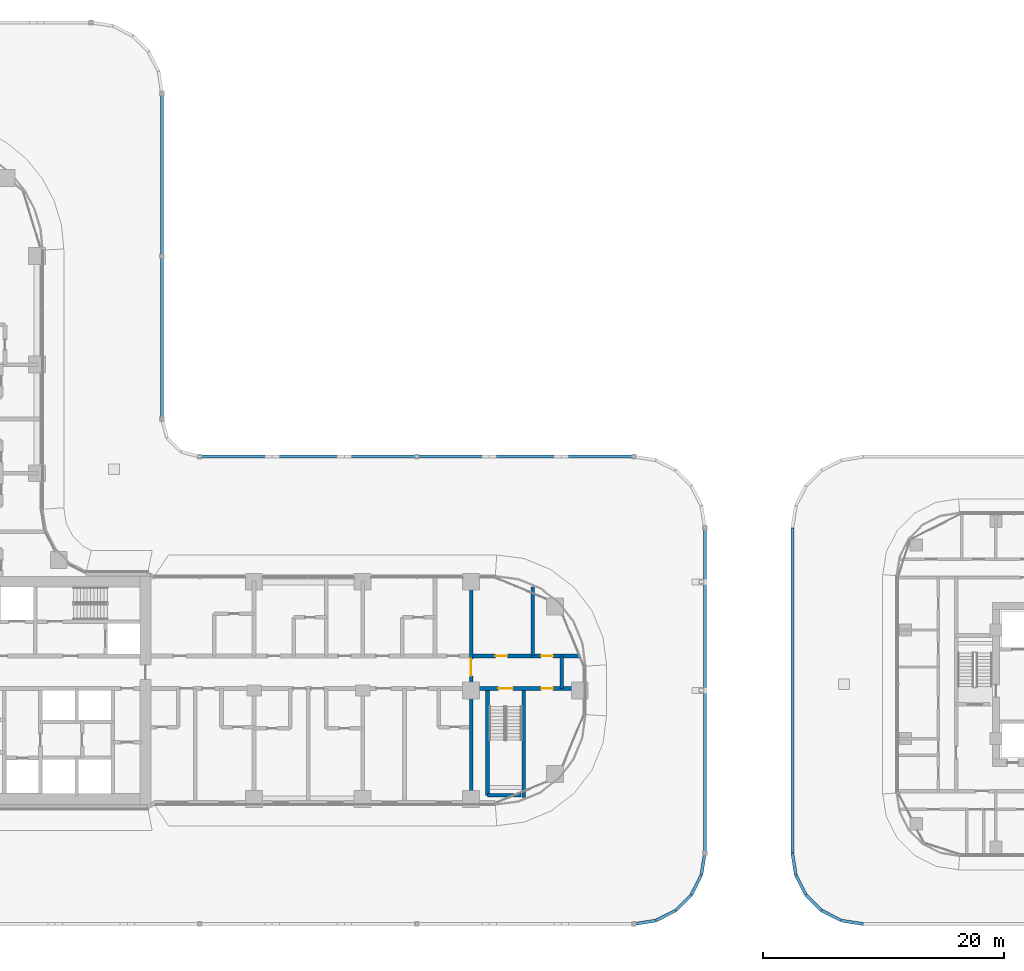
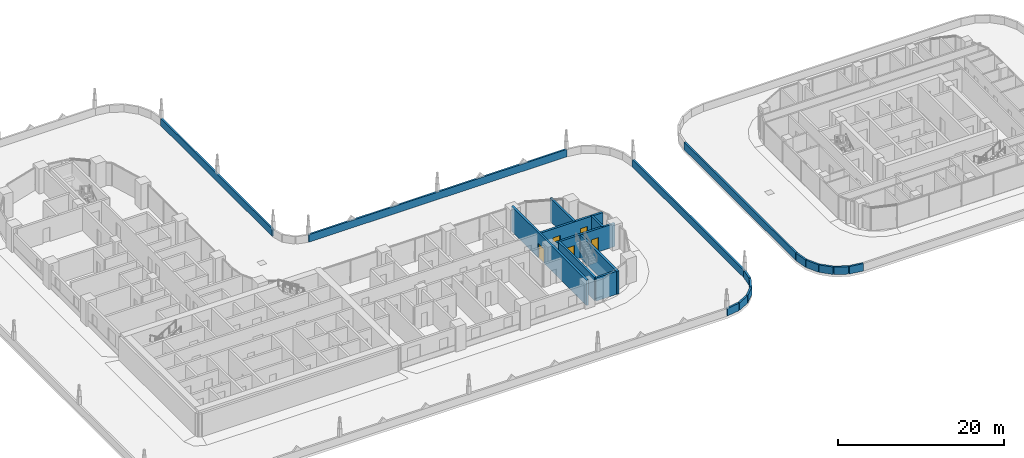
# One storey, part 28 of 51: 22 walls, 5 doors, 5 openings.
"""IFC4 building model written with IfcOpenShell, lengths in metres."""

from ifc_helpers import new_model, si_unit, direction, frame, frame_2d, origin, place, context, subcontext, project, spatial, rectangle, extrude, material, layer, layer_set, type_object, element, fill, save


model = new_model("IFC4")

# Units and contexts
model_context = context("Model", 3, precision=1e-05, world=origin(), true_north=direction((0.0, 1.0)))
body_context = subcontext(model_context, "Body", "Model", "MODEL_VIEW")
ifc_project = project(units=[si_unit("LENGTHUNIT", "METRE"), si_unit("AREAUNIT", "SQUARE_METRE"), si_unit("VOLUMEUNIT", "CUBIC_METRE"), si_unit("PLANEANGLEUNIT", "RADIAN"), si_unit("MASSUNIT", "GRAM", prefix="KILO")], contexts=[model_context])

# Site, building, storey
site_placement = place(None, origin())
site = spatial("IfcSite", under=ifc_project, at=site_placement, CompositionType="ELEMENT")
building_placement = place(site_placement, origin())
building = spatial("IfcBuilding", under=site, at=building_placement, Name="Ogive Portal Towers", CompositionType="ELEMENT")
storey_placement = place(building_placement, frame((0.0, 0.0, 33.5)))
storey = spatial("IfcBuildingStorey", under=building, at=storey_placement, Name="L06", CompositionType="ELEMENT", Elevation=33.5)

# Walls
ifc_material_1 = material(Name="Limestone cladding on lightweight block wall", Category="masonry")
ifc_layer_1 = layer(ifc_material_1, 0.25)
ifc_layer_set_1 = layer_set([ifc_layer_1], Name="PARAPET 250 STONE")
wall_type_1 = type_object("IfcWallType", Name="PARAPET 250 STONE", PredefinedType="PARAPET", material=ifc_layer_set_1)
wall_1_placement = place(storey_placement, frame((99.0, 11.12646484375, 0.0), z_axis=(0.0, 0.0, 1.0), x_axis=(0.987683342628, 0.156466017699, 0.0)))
element("IfcWall", 1, at=wall_1_placement, inside=storey, type_object=wall_type_1, Name="A:L06:proof0:para07", PredefinedType="PARAPET", context=body_context, shape_type="SweptSolid", body=[
    extrude(rectangle(XDim=1.81787109375, YDim=0.25, at=frame_2d((0.908935546875, 0.0))), origin(), (0.0, 0.0, 1.0), 1.10009765625),
])
wall_2_placement = place(storey_placement, frame((100.83251953125, 11.423095703125, 0.0), z_axis=(0.0, 0.0, 1.0), x_axis=(0.891034315556, 0.453935951982, 0.0)))
element("IfcWall", 2, at=wall_2_placement, inside=storey, type_object=wall_type_1, Name="A:L06:proof0:para08", PredefinedType="PARAPET", context=body_context, shape_type="SweptSolid", body=[
    extrude(rectangle(XDim=1.7978515625, YDim=0.25, at=frame_2d((0.89892578125, 0.0))), origin(), (0.0, 0.0, 1.0), 1.10009765625),
])
wall_3_placement = place(storey_placement, frame((102.46630859375, 12.26220703125, 0.0), z_axis=(0.0, 0.0, 1.0), x_axis=(0.707106781187, 0.707106781187, 0.0)))
element("IfcWall", 3, at=wall_3_placement, inside=storey, type_object=wall_type_1, Name="A:L06:proof0:para09", PredefinedType="PARAPET", context=body_context, shape_type="SweptSolid", body=[
    extrude(rectangle(XDim=1.798095703125, YDim=0.25, at=frame_2d((0.89892578125, 0.0))), origin(), (0.0, 0.0, 1.0), 1.10009765625),
])
wall_4_placement = place(storey_placement, frame((103.7607421875, 13.5654296875, 0.0), z_axis=(0.0, 0.0, 1.0), x_axis=(0.453935951982, 0.891034315556, 0.0)))
element("IfcWall", 4, at=wall_4_placement, inside=storey, type_object=wall_type_1, Name="A:L06:proof0:para10", PredefinedType="PARAPET", context=body_context, shape_type="SweptSolid", body=[
    extrude(rectangle(XDim=1.7978515625, YDim=0.25, at=frame_2d((0.89892578125, 0.0))), origin(), (0.0, 0.0, 1.0), 1.10009765625),
])
wall_5_placement = place(storey_placement, frame((104.589111328125, 15.20458984375, 0.0), z_axis=(0.0, 0.0, 1.0), x_axis=(0.156466017699, 0.987683342628, 0.0)))
element("IfcWall", 5, at=wall_5_placement, inside=storey, type_object=wall_type_1, Name="A:L06:proof0:para11", PredefinedType="PARAPET", context=body_context, shape_type="SweptSolid", body=[
    extrude(rectangle(XDim=1.81787109375, YDim=0.25, at=frame_2d((0.908935546875, 0.0))), origin(), (0.0, 0.0, 1.0), 1.10009765625),
])
wall_6_placement = place(storey_placement, frame((104.875, 17.019775390625, 0.0), z_axis=(0.0, 0.0, 1.0), x_axis=(0.0, 1.0, 0.0)))
element("IfcWall", 6, at=wall_6_placement, inside=storey, type_object=wall_type_1, Name="A:L06:proof0:para12", PredefinedType="PARAPET", context=body_context, shape_type="SweptSolid", body=[
    extrude(rectangle(XDim=26.96044921875, YDim=0.25, at=frame_2d((13.480224609375, 0.0))), origin(), (0.0, 0.0, 1.0), 1.10009765625),
])
wall_7_placement = place(storey_placement, frame((98.980224609375, 49.875, 0.0), z_axis=(0.0, 0.0, 1.0), x_axis=(-1.0, 0.0, 0.0)))
element("IfcWall", 7, at=wall_7_placement, inside=storey, type_object=wall_type_1, Name="A:L06:proof0:para18", PredefinedType="PARAPET", context=body_context, shape_type="SweptSolid", body=[
    extrude(rectangle(XDim=35.980224609375, YDim=0.25, at=frame_2d((17.990234375, 0.0))), origin(), (0.0, 0.0, 1.0), 1.10009765625),
])
wall_8_placement = place(storey_placement, frame((59.875, 53.0, 0.0), z_axis=(0.0, 0.0, 1.0), x_axis=(0.0, 1.0, 0.0)))
element("IfcWall", 8, at=wall_8_placement, inside=storey, type_object=wall_type_1, Name="A:L06:proof0:para22", PredefinedType="PARAPET", context=body_context, shape_type="SweptSolid", body=[
    extrude(rectangle(XDim=26.980224609375, YDim=0.25, at=frame_2d((13.490234375, 0.0))), origin(), (0.0, 0.0, 1.0), 1.10009765625),
])
wall_9_placement = place(storey_placement, frame((112.125, 43.980224609375, 0.0), z_axis=(0.0, 0.0, 1.0), x_axis=(0.0, -1.0, 0.0)))
element("IfcWall", 9, at=wall_9_placement, inside=storey, type_object=wall_type_1, Name="B:L06:proof0:para00", PredefinedType="PARAPET", context=body_context, shape_type="SweptSolid", body=[
    extrude(rectangle(XDim=26.96044921875, YDim=0.25, at=frame_2d((13.480224609375, 0.0))), origin(), (0.0, 0.0, 1.0), 1.10009765625),
])
wall_10_placement = place(storey_placement, frame((112.12646484375, 17.0, 0.0), z_axis=(0.0, 0.0, 1.0), x_axis=(0.156466017699, -0.987683342628, 0.0)))
element("IfcWall", 10, at=wall_10_placement, inside=storey, type_object=wall_type_1, Name="B:L06:proof0:para01", PredefinedType="PARAPET", context=body_context, shape_type="SweptSolid", body=[
    extrude(rectangle(XDim=1.81787109375, YDim=0.25, at=frame_2d((0.908935546875, 0.0))), origin(), (0.0, 0.0, 1.0), 1.10009765625),
])
wall_11_placement = place(storey_placement, frame((112.423095703125, 15.16748046875, 0.0), z_axis=(0.0, 0.0, 1.0), x_axis=(0.453935951982, -0.891034315556, 0.0)))
element("IfcWall", 11, at=wall_11_placement, inside=storey, type_object=wall_type_1, Name="B:L06:proof0:para02", PredefinedType="PARAPET", context=body_context, shape_type="SweptSolid", body=[
    extrude(rectangle(XDim=1.7978515625, YDim=0.25, at=frame_2d((0.89892578125, 0.0))), origin(), (0.0, 0.0, 1.0), 1.10009765625),
])
wall_12_placement = place(storey_placement, frame((113.26220703125, 13.53369140625, 0.0), z_axis=(0.0, 0.0, 1.0), x_axis=(0.707106781187, -0.707106781187, 0.0)))
element("IfcWall", 12, at=wall_12_placement, inside=storey, type_object=wall_type_1, Name="B:L06:proof0:para03", PredefinedType="PARAPET", context=body_context, shape_type="SweptSolid", body=[
    extrude(rectangle(XDim=1.798095703125, YDim=0.25, at=frame_2d((0.89892578125, 0.0))), origin(), (0.0, 0.0, 1.0), 1.10009765625),
])
wall_13_placement = place(storey_placement, frame((114.5654296875, 12.2392578125, 0.0), z_axis=(0.0, 0.0, 1.0), x_axis=(0.891034315556, -0.453935951982, 0.0)))
element("IfcWall", 13, at=wall_13_placement, inside=storey, type_object=wall_type_1, Name="B:L06:proof0:para04", PredefinedType="PARAPET", context=body_context, shape_type="SweptSolid", body=[
    extrude(rectangle(XDim=1.7978515625, YDim=0.25, at=frame_2d((0.89892578125, 0.0))), origin(), (0.0, 0.0, 1.0), 1.10009765625),
])
wall_14_placement = place(storey_placement, frame((116.20458984375, 11.410888671875, 0.0), z_axis=(0.0, 0.0, 1.0), x_axis=(0.987683342628, -0.156466017699, 0.0)))
element("IfcWall", 14, at=wall_14_placement, inside=storey, type_object=wall_type_1, Name="B:L06:proof0:para05", PredefinedType="PARAPET", context=body_context, shape_type="SweptSolid", body=[
    extrude(rectangle(XDim=1.81787109375, YDim=0.25, at=frame_2d((0.908935546875, 0.0))), origin(), (0.0, 0.0, 1.0), 1.10009765625),
])

# Wall, opening, door
ifc_material_2 = material(Name="Concrete C60/75", Category="concrete")
ifc_layer_2 = layer(ifc_material_2, 0.300048828125)
ifc_layer_set_2 = layer_set([ifc_layer_2], Name="REVEAL WALL 300 C60")
wall_type_2 = type_object("IfcWallType", Name="REVEAL WALL 300 C60", PredefinedType="SHEAR", material=ifc_layer_set_2)
wall_15_placement = place(storey_placement, frame((85.5, 21.425048828125, 0.0), z_axis=(0.0, 0.0, 1.0), x_axis=(0.0, 1.0, 0.0)))
wall_15 = element("IfcWall", 15, at=wall_15_placement, inside=storey, type_object=wall_type_2, Name="Portal reveal wall L06", PredefinedType="SHEAR", context=body_context, shape_type="SweptSolid", body=[
    extrude(rectangle(XDim=18.14990234375, YDim=0.300048828125, at=frame_2d((9.074951171875, 0.0))), origin(), (0.0, 0.0, 1.0), 3.699951171875),
])
opening_1_placement = place(wall_15_placement, frame((10.27490234375, 0.0, 0.0)))
opening_1 = element("IfcOpeningElement", 16, at=opening_1_placement, cuts=wall_15, Name="Opening D01-072", PredefinedType="OPENING", context=body_context, shape_type="SweptSolid", body=[
    extrude(rectangle(XDim=1.39990234375, YDim=2.10009765625, at=frame_2d((0.699951171875, 1.050048828125))), frame((0.0, 0.16015625, 0.0), z_axis=(0.0, -1.0, 0.0), x_axis=(1.0, 0.0, 0.0)), (0.0, 0.0, 1.0), 0.320068359375),
])
ifc_material_3 = material(Name="Steel fire door", Category="steel")
door_type_1 = type_object("IfcDoorType", Name="DT-STAIR-1400x2100-FD90S", OperationType="SINGLE_SWING_LEFT", PredefinedType="DOOR", material=ifc_material_3)
door_1_placement = place(opening_1_placement, origin())
door_1 = element("IfcDoor", 17, at=door_1_placement, inside=storey, type_object=door_type_1, Name="Door D01-072", OperationType="SINGLE_SWING_RIGHT", OverallHeight=2.10009765625, OverallWidth=1.39990234375, PredefinedType="DOOR", context=body_context, shape_type="SweptSolid", body=[
    extrude(rectangle(XDim=1.39990234375, YDim=2.10009765625, at=frame_2d((0.699951171875, 1.050048828125))), frame((0.0, 0.02490234375, 0.0), z_axis=(0.0, -1.0, 0.0), x_axis=(1.0, 0.0, 0.0)), (0.0, 0.0, 1.0), 0.050048828125),
])
fill(opening_1, door_1)

# Wall
ifc_material_4 = material(Name="Concrete C50/60", Category="concrete")
ifc_layer_3 = layer(ifc_material_4, 0.300048828125)
ifc_layer_set_3 = layer_set([ifc_layer_3], Name="STAIR WALL 300 C50")
wall_type_3 = type_object("IfcWallType", Name="STAIR WALL 300 C50", PredefinedType="SHEAR", material=ifc_layer_set_3)
wall_16_placement = place(storey_placement, frame((86.85009765625, 21.800048828125, 0.0), z_axis=(0.0, 0.0, 1.0), x_axis=(1.0, 0.0, 0.0)))
element("IfcWall", 18, at=wall_16_placement, inside=storey, type_object=wall_type_3, Name="Stair wall ST-A4 L06", PredefinedType="SHEAR", context=body_context, shape_type="SweptSolid", body=[
    extrude(rectangle(XDim=2.796875, YDim=0.300048828125, at=frame_2d((1.3984375, 0.0))), origin(), (0.0, 0.0, 1.0), 3.39990234375),
])

# Wall, openings, doors
wall_17_placement = place(storey_placement, frame((85.669921875, 30.64990234375, 0.0), z_axis=(0.0, 0.0, 1.0), x_axis=(1.0, 0.0, 0.0)))
wall_17 = element("IfcWall", 19, at=wall_17_placement, inside=storey, type_object=wall_type_3, Name="Stair wall ST-A4 L06", PredefinedType="SHEAR", context=body_context, shape_type="SweptSolid", body=[
    extrude(rectangle(XDim=8.905029296875, YDim=0.300048828125, at=frame_2d((4.45263671875, 0.0))), origin(), (0.0, 0.0, 1.0), 3.39990234375),
])
opening_2_placement = place(wall_17_placement, frame((2.080078125, 0.0, 0.0)))
opening_2 = element("IfcOpeningElement", 20, at=opening_2_placement, cuts=wall_17, Name="Opening D01-067", PredefinedType="OPENING", context=body_context, shape_type="SweptSolid", body=[
    extrude(rectangle(XDim=1.199951171875, YDim=2.10009765625, at=frame_2d((0.60009765625, 1.050048828125))), frame((0.0, 0.16015625, 0.0), z_axis=(0.0, -1.0, 0.0), x_axis=(1.0, 0.0, 0.0)), (0.0, 0.0, 1.0), 0.320068359375),
])
opening_3_placement = place(wall_17_placement, frame((5.6298828125, 0.0, 0.0)))
opening_3 = element("IfcOpeningElement", 21, at=opening_3_placement, cuts=wall_17, Name="Opening D01-070", PredefinedType="OPENING", context=body_context, shape_type="SweptSolid", body=[
    extrude(rectangle(XDim=1.0, YDim=2.10009765625, at=frame_2d((0.5, 1.050048828125))), frame((0.0, 0.16015625, 0.0), z_axis=(0.0, -1.0, 0.0), x_axis=(1.0, 0.0, 0.0)), (0.0, 0.0, 1.0), 0.320068359375),
])
door_type_2 = type_object("IfcDoorType", Name="DT-SERVICE-1000x2100-FD90S", OperationType="SINGLE_SWING_LEFT", PredefinedType="DOOR", material=ifc_material_3)
door_2_placement = place(opening_3_placement, origin())
door_2 = element("IfcDoor", 22, at=door_2_placement, inside=storey, type_object=door_type_2, Name="Door D01-070", OperationType="SINGLE_SWING_LEFT", OverallHeight=2.10009765625, OverallWidth=1.0, PredefinedType="DOOR", context=body_context, shape_type="SweptSolid", body=[
    extrude(rectangle(XDim=1.0, YDim=2.10009765625, at=frame_2d((0.5, 1.050048828125))), frame((0.0, 0.02490234375, 0.0), z_axis=(0.0, -1.0, 0.0), x_axis=(1.0, 0.0, 0.0)), (0.0, 0.0, 1.0), 0.050048828125),
])
fill(opening_3, door_2)
door_type_3 = type_object("IfcDoorType", Name="DT-STAIR-1200x2100-FD90S", OperationType="SINGLE_SWING_LEFT", PredefinedType="DOOR", material=ifc_material_3)
door_3_placement = place(opening_2_placement, origin())
door_3 = element("IfcDoor", 23, at=door_3_placement, inside=storey, type_object=door_type_3, Name="Door D01-067", OperationType="SINGLE_SWING_LEFT", OverallHeight=2.10009765625, OverallWidth=1.199951171875, PredefinedType="DOOR", context=body_context, shape_type="SweptSolid", body=[
    extrude(rectangle(XDim=1.199951171875, YDim=2.10009765625, at=frame_2d((0.60009765625, 1.050048828125))), frame((0.0, 0.02490234375, 0.0), z_axis=(0.0, -1.0, 0.0), x_axis=(1.0, 0.0, 0.0)), (0.0, 0.0, 1.0), 0.050048828125),
])
fill(opening_2, door_3)

# Walls
wall_18_placement = place(storey_placement, frame((86.85009765625, 21.800048828125, 0.0), z_axis=(0.0, 0.0, 1.0), x_axis=(0.0, 1.0, 0.0)))
element("IfcWall", 24, at=wall_18_placement, inside=storey, type_object=wall_type_3, Name="Stair wall ST-A4 L06", PredefinedType="SHEAR", context=body_context, shape_type="SweptSolid", body=[
    extrude(rectangle(XDim=8.849853515625, YDim=0.300048828125, at=frame_2d((4.4248046875, 0.0))), origin(), (0.0, 0.0, 1.0), 3.39990234375),
])
wall_19_placement = place(storey_placement, frame((89.85009765625, 21.6240234375, 0.0), z_axis=(0.0, 0.0, 1.0), x_axis=(0.0, 1.0, 0.0)))
element("IfcWall", 25, at=wall_19_placement, inside=storey, type_object=wall_type_3, Name="Stair wall ST-A4 L06", PredefinedType="SHEAR", context=body_context, shape_type="SweptSolid", body=[
    extrude(rectangle(XDim=9.02587890625, YDim=0.300048828125, at=frame_2d((4.512939453125, 0.0))), origin(), (0.0, 0.0, 1.0), 3.39990234375),
])

# Wall, openings, doors
ifc_material_5 = material(Name="Gypsum board partition on steel studs", Category="steel")
ifc_layer_4 = layer(ifc_material_5, 0.300048828125)
ifc_layer_set_4 = layer_set([ifc_layer_4], Name="WT-PART-300-EI 120")
wall_type_4 = type_object("IfcWallType", Name="WT-PART-300-EI 120", PredefinedType="PARTITIONING", material=ifc_layer_set_4)
wall_20_placement = place(storey_placement, frame((85.669921875, 33.35009765625, 0.0), z_axis=(0.0, 0.0, 1.0), x_axis=(1.0, 0.0, 0.0)))
wall_20 = element("IfcWall", 26, at=wall_20_placement, inside=storey, type_object=wall_type_4, Name="Wall L06:w010", PredefinedType="PARTITIONING", context=body_context, shape_type="SweptSolid", body=[
    extrude(rectangle(XDim=8.7900390625, YDim=0.300048828125, at=frame_2d((4.39501953125, 0.0))), origin(), (0.0, 0.0, 1.0), 3.39990234375),
])
opening_4_placement = place(wall_20_placement, frame((1.830078125, 0.0, 0.0)))
opening_4 = element("IfcOpeningElement", 27, at=opening_4_placement, cuts=wall_20, Name="Opening D01-068", PredefinedType="OPENING", context=body_context, shape_type="SweptSolid", body=[
    extrude(rectangle(XDim=1.0, YDim=2.10009765625, at=frame_2d((0.5, 1.050048828125))), frame((0.0, 0.16015625, 0.0), z_axis=(0.0, -1.0, 0.0), x_axis=(1.0, 0.0, 0.0)), (0.0, 0.0, 1.0), 0.320068359375),
])
opening_5_placement = place(wall_20_placement, frame((5.6298828125, 0.0, 0.0)))
opening_5 = element("IfcOpeningElement", 28, at=opening_5_placement, cuts=wall_20, Name="Opening D01-069", PredefinedType="OPENING", context=body_context, shape_type="SweptSolid", body=[
    extrude(rectangle(XDim=1.0, YDim=2.10009765625, at=frame_2d((0.5, 1.050048828125))), frame((0.0, 0.16015625, 0.0), z_axis=(0.0, -1.0, 0.0), x_axis=(1.0, 0.0, 0.0)), (0.0, 0.0, 1.0), 0.320068359375),
])
door_4_placement = place(opening_4_placement, origin())
door_4 = element("IfcDoor", 29, at=door_4_placement, inside=storey, type_object=door_type_2, Name="Door D01-068", OperationType="SINGLE_SWING_LEFT", OverallHeight=2.10009765625, OverallWidth=1.0, PredefinedType="DOOR", context=body_context, shape_type="SweptSolid", body=[
    extrude(rectangle(XDim=1.0, YDim=2.10009765625, at=frame_2d((0.5, 1.050048828125))), frame((0.0, 0.02490234375, 0.0), z_axis=(0.0, -1.0, 0.0), x_axis=(1.0, 0.0, 0.0)), (0.0, 0.0, 1.0), 0.050048828125),
])
fill(opening_4, door_4)
door_5_placement = place(opening_5_placement, origin())
door_5 = element("IfcDoor", 30, at=door_5_placement, inside=storey, type_object=door_type_2, Name="Riser access door D01-069", OperationType="SINGLE_SWING_RIGHT", OverallHeight=2.10009765625, OverallWidth=1.0, PredefinedType="DOOR", context=body_context, shape_type="SweptSolid", body=[
    extrude(rectangle(XDim=1.0, YDim=2.10009765625, at=frame_2d((0.5, 1.050048828125))), frame((0.0, 0.02490234375, 0.0), z_axis=(0.0, -1.0, 0.0), x_axis=(1.0, 0.0, 0.0)), (0.0, 0.0, 1.0), 0.050048828125),
])
fill(opening_5, door_5)

# Walls
wall_21_placement = place(storey_placement, frame((93.0, 30.64990234375, 0.0), z_axis=(0.0, 0.0, 1.0), x_axis=(0.0, 1.0, 0.0)))
element("IfcWall", 31, at=wall_21_placement, inside=storey, type_object=wall_type_4, Name="Wall L06:w068", PredefinedType="PARTITIONING", context=body_context, shape_type="SweptSolid", body=[
    extrude(rectangle(XDim=2.7001953125, YDim=0.300048828125, at=frame_2d((1.35009765625, 0.0))), origin(), (0.0, 0.0, 1.0), 3.39990234375),
])
ifc_layer_5 = layer(ifc_material_5, 0.300048828125)
ifc_layer_set_5 = layer_set([ifc_layer_5], Name="WT-PART-300-EI 60")
wall_type_5 = type_object("IfcWallType", Name="WT-PART-300-EI 60", PredefinedType="PARTITIONING", material=ifc_layer_set_5)
wall_22_placement = place(storey_placement, frame((90.60009765625, 33.35009765625, 0.0), z_axis=(0.0, 0.0, 1.0), x_axis=(0.0, 1.0, 0.0)))
element("IfcWall", 32, at=wall_22_placement, inside=storey, type_object=wall_type_5, Name="Wall L06:w067", PredefinedType="PARTITIONING", context=body_context, shape_type="SweptSolid", body=[
    extrude(rectangle(XDim=5.7158203125, YDim=0.300048828125, at=frame_2d((2.85791015625, 0.0))), origin(), (0.0, 0.0, 1.0), 3.39990234375),
])

save(model, "model.ifc")
